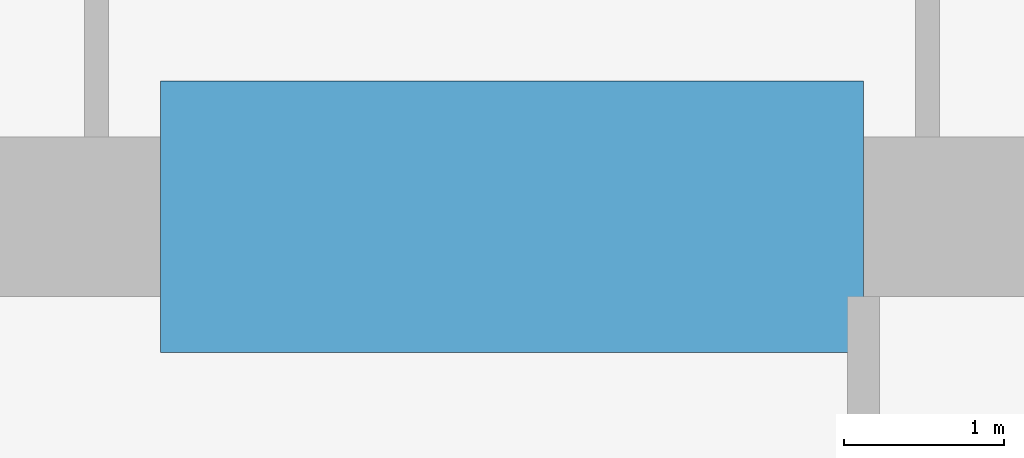
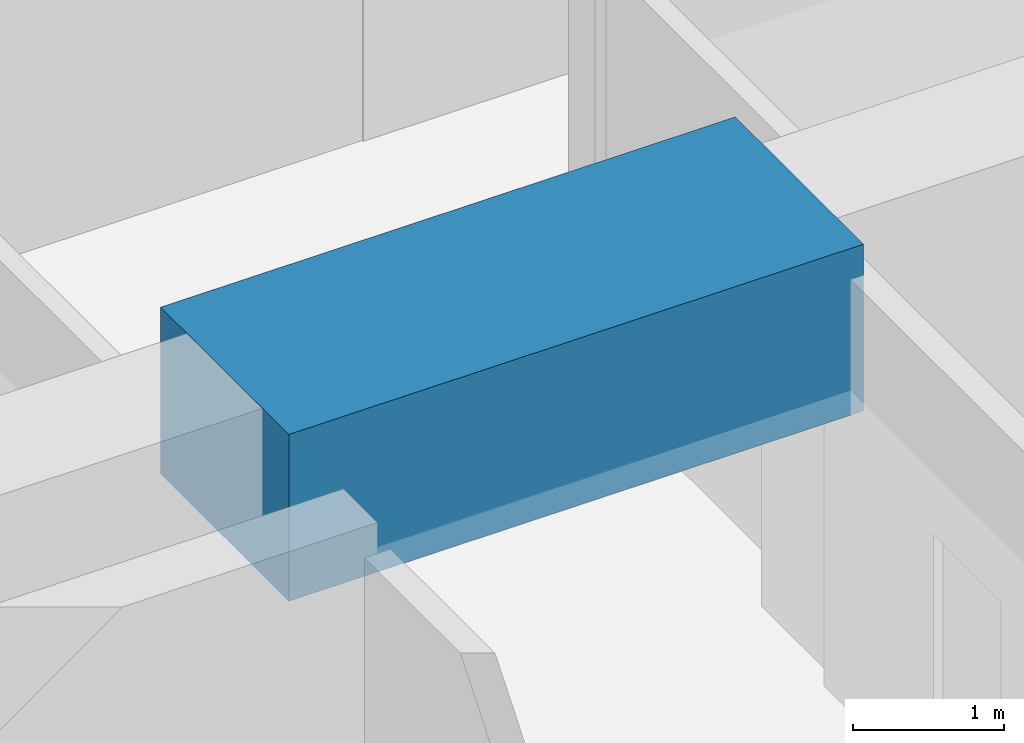
# One storey, part 18 of 40: 1 beam.
"""IFC4 building model written with IfcOpenShell, lengths in metres."""

from ifc_helpers import new_model, si_unit, direction, frame, origin, origin_2d, place, context, subcontext, project, spatial, rectangle, extrude, material, material_profile, profile_set, type_object, element, save


model = new_model("IFC4")

# Units and contexts
model_context = context("Model", 3, precision=1e-05, world=origin(), true_north=direction((0.0, 1.0)))
body_context = subcontext(model_context, "Body", "Model", "MODEL_VIEW")
ifc_project = project(units=[si_unit("LENGTHUNIT", "METRE"), si_unit("AREAUNIT", "SQUARE_METRE"), si_unit("VOLUMEUNIT", "CUBIC_METRE"), si_unit("PLANEANGLEUNIT", "RADIAN"), si_unit("MASSUNIT", "GRAM", prefix="KILO")], contexts=[model_context])

# Site, building, storey
site_placement = place(None, origin())
site = spatial("IfcSite", under=ifc_project, at=site_placement, CompositionType="ELEMENT")
building_placement = place(site_placement, origin())
building = spatial("IfcBuilding", under=site, at=building_placement, Name="Rekha Terrace Tower", CompositionType="ELEMENT")
storey_placement = place(building_placement, frame((0.0, 0.0, 125.300048828125)))
storey = spatial("IfcBuildingStorey", under=building, at=storey_placement, Name="L31", CompositionType="ELEMENT", Elevation=125.300048828125)

# Beam
ifc_material = material(Name="Concrete M70", Category="concrete")
ifc_material_profile = material_profile(ifc_material, rectangle(XDim=1.699951171875, YDim=1.35009765625, at=origin_2d()), Name="RC 1700x1350")
ifc_profile_set = profile_set([ifc_material_profile], Name="Concrete M70")
beam_type = type_object("IfcBeamType", Name="LB2A 1700x1350 diagonally reinforced coupling beam", PredefinedType="LINTEL", material=ifc_profile_set)
beam_placement = place(storey_placement, frame((35.60009765625, 46.199951171875, 3.074951171875), z_axis=(1.0, 0.0, 0.0), x_axis=(0.0, 1.0, 0.0)))
element("IfcBeam", 1, at=beam_placement, inside=storey, type_object=beam_type, Name="Coupling beam LB2A N L31", PredefinedType="LINTEL", context=body_context, shape_type="SweptSolid", body=[
    extrude(rectangle(XDim=1.699951171875, YDim=1.35009765625, at=origin_2d()), origin(), (0.0, 0.0, 1.0), 4.39990234375),
])

save(model, "model.ifc")
